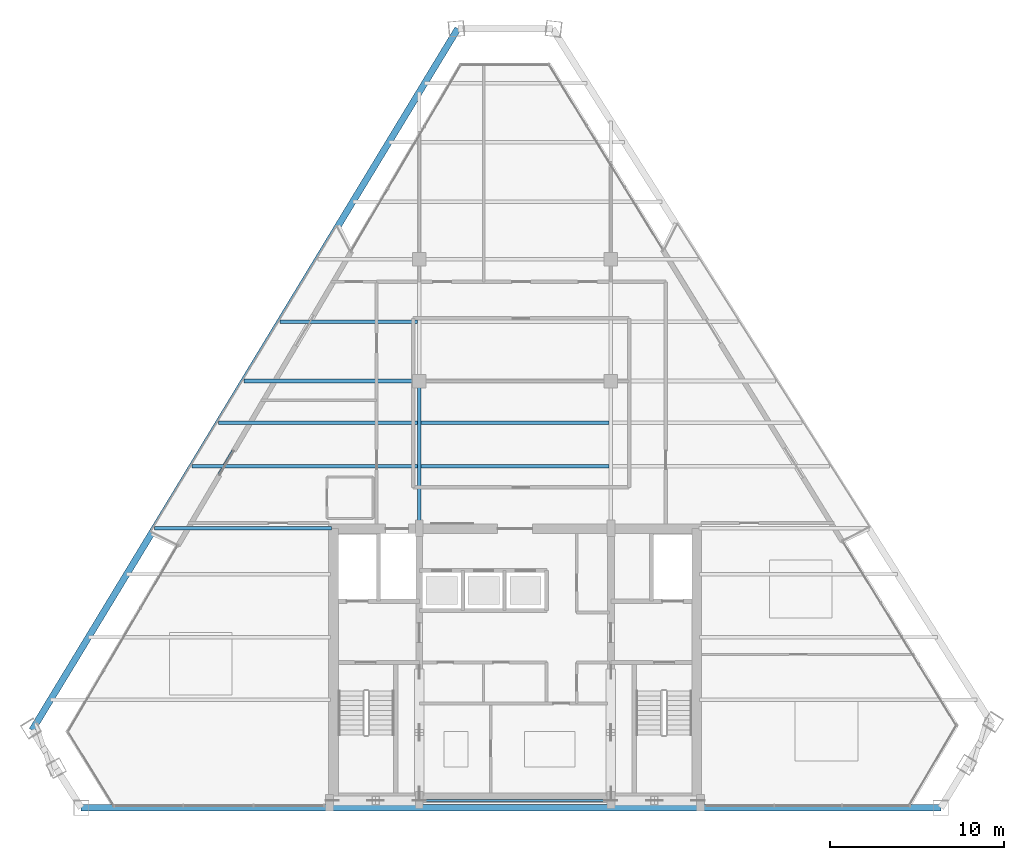
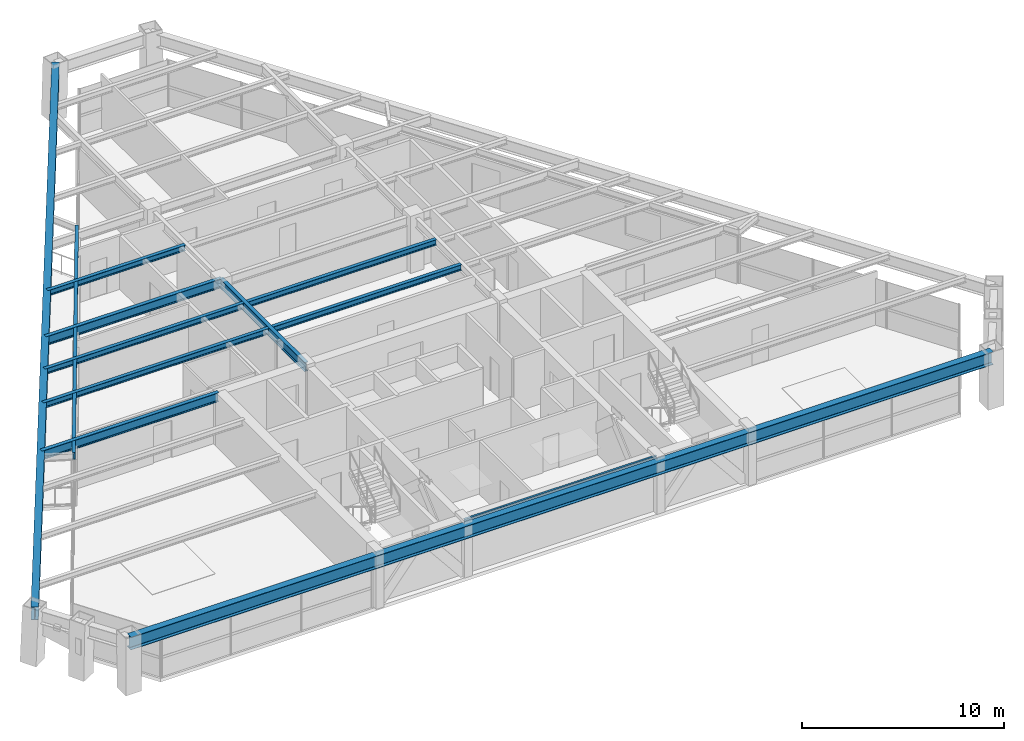
# One storey, part 3 of 14: 12 beams.
"""IFC4 building model written with IfcOpenShell, lengths in metres."""

from ifc_helpers import new_model, si_unit, direction, frame, origin, origin_2d, place, context, subcontext, project, spatial, i_section, extrude, source, transform, mapped, material, material_profile, profile_set, type_object, type_shapes, element, save


model = new_model("IFC4")

# Units and contexts
model_context = context("Model", 3, precision=1e-05, world=origin(), true_north=direction((0.0, 1.0)))
body_context = subcontext(model_context, "Body", "Model", "MODEL_VIEW")
ifc_project = project(units=[si_unit("LENGTHUNIT", "METRE"), si_unit("AREAUNIT", "SQUARE_METRE"), si_unit("VOLUMEUNIT", "CUBIC_METRE"), si_unit("PLANEANGLEUNIT", "RADIAN"), si_unit("MASSUNIT", "GRAM", prefix="KILO")], contexts=[model_context])

# Site, building, storey
site_placement = place(None, origin())
site = spatial("IfcSite", under=ifc_project, at=site_placement, CompositionType="ELEMENT")
building_placement = place(site_placement, origin())
building = spatial("IfcBuilding", under=site, at=building_placement, Name="Varnakhor Terracotta Tower", CompositionType="ELEMENT")
storey_placement = place(building_placement, frame((0.0, 0.0, 240.699951171875)))
storey = spatial("IfcBuildingStorey", under=building, at=storey_placement, Name="L62", CompositionType="ELEMENT", Elevation=240.699951171875)

# Beams
ifc_material = material(Name="Steel S355", Category="steel")
ifc_material_profile_1 = material_profile(ifc_material, i_section(OverallWidth=0.1201171875, OverallDepth=0.239990234375, WebThickness=0.006103515625, FlangeThickness=0.009765625, FilletRadius=0.01806640625, at=origin_2d()), Name="IPE240")
ifc_profile_set_1 = profile_set([ifc_material_profile_1], Name="Steel S355")
beam_type_1 = type_object("IfcBeamType", Name="LNT-IPE240", PredefinedType="LINTEL", material=ifc_profile_set_1)
shared_shape_1 = source(origin(), body_context, "Body", "SweptSolid", [
    extrude(i_section(OverallWidth=0.1201171875, OverallDepth=0.239990234375, WebThickness=0.006103515625, FlangeThickness=0.009765625, FilletRadius=0.01806640625, at=origin_2d()), origin(), (0.0, 0.0, 1.0), 11.0),
])
type_shapes(beam_type_1, [shared_shape_1])
beam_1_placement = place(storey_placement, frame((-5.5, 0.419921875, 3.1201171875), z_axis=(1.0, 0.0, 0.0), x_axis=(0.0, 1.0, 0.0)))
element("IfcBeam", 1, at=beam_1_placement, inside=storey, type_object=beam_type_1, Name="L62 Core South Coupling Lintel", PredefinedType="LINTEL", context=body_context, shape_type="MappedRepresentation", body=[
    mapped(shared_shape_1, transform((0.0, 0.0, 0.0), scale=1.0)),
])
ifc_material_profile_2 = material_profile(ifc_material, i_section(OverallWidth=0.214111328125, OverallDepth=0.549072265625, WebThickness=0.014892578125, FlangeThickness=0.02392578125, FilletRadius=0.01806640625, at=origin_2d()), Name="W21X93")
ifc_profile_set_2 = profile_set([ifc_material_profile_2], Name="Steel S355")
beam_type_2 = type_object("IfcBeamType", Name="BM-W21X93", PredefinedType="BEAM", material=ifc_profile_set_2)
shared_shape_2 = source(origin(), body_context, "Body", "SweptSolid", [
    extrude(i_section(OverallWidth=0.214111328125, OverallDepth=0.549072265625, WebThickness=0.014892578125, FlangeThickness=0.02392578125, FilletRadius=0.01806640625, at=origin_2d()), origin(), (0.0, 0.0, 1.0), 8.449951171875),
])
type_shapes(beam_type_2, [shared_shape_2])
beam_2_placement = place(storey_placement, frame((-5.5, 16.050048828125, 2.965576171875), z_axis=(0.0, 1.0, 0.0), x_axis=(-1.0, 0.0, 0.0)))
element("IfcBeam", 2, at=beam_2_placement, inside=storey, type_object=beam_type_2, Name="L62 Primary Girder NS1-W", PredefinedType="BEAM", context=body_context, shape_type="MappedRepresentation", body=[
    mapped(shared_shape_2, transform((0.0, 0.0, 0.0), scale=1.0)),
])
ifc_material_profile_3 = material_profile(ifc_material, i_section(OverallWidth=0.202880859375, OverallDepth=0.346923828125, WebThickness=0.0078125, FlangeThickness=0.013427734375, FilletRadius=0.01806640625, at=origin_2d()), Name="W14X43")
ifc_profile_set_3 = profile_set([ifc_material_profile_3], Name="Steel S355")
beam_type_3 = type_object("IfcBeamType", Name="JST-W14X43", PredefinedType="JOIST", material=ifc_profile_set_3)
shared_shape_3 = source(origin(), body_context, "Body", "SweptSolid", [
    extrude(i_section(OverallWidth=0.202880859375, OverallDepth=0.346923828125, WebThickness=0.0078125, FlangeThickness=0.013427734375, FilletRadius=0.01806640625, at=origin_2d()), origin(), (0.0, 0.0, 1.0), 10.7939453125),
])
for number, where, z_axis, x_axis, name in (
    (3, (-5.39697265625, 19.60009765625, 3.066650390625), (1.0, 0.0, 0.0), (0.0, 1.0, 0.0), "L62 Composite Floor Joist 4-2"),
    (4, (-5.39697265625, 22.10009765625, 3.066650390625), (1.0, 0.0, 0.0), (0.0, 1.0, 0.0), "L62 Composite Floor Joist 5-2"),
):
    element("IfcBeam", number, at=place(storey_placement, frame(where, z_axis=z_axis, x_axis=x_axis)), inside=storey, type_object=beam_type_3, Name=name, PredefinedType="JOIST", context=body_context, shape_type="MappedRepresentation", body=[
        mapped(shared_shape_3, transform((0.0, 0.0, 0.0), scale=1.0)),
    ])
ifc_material_profile_4 = material_profile(ifc_material, i_section(OverallWidth=0.381103515625, OverallDepth=0.77294921875, WebThickness=0.01708984375, FlangeThickness=0.027099609375, FilletRadius=0.01806640625, at=origin_2d()), Name="W30X173")
ifc_profile_set_4 = profile_set([ifc_material_profile_4], Name="Steel S355")
beam_type_4 = type_object("IfcBeamType", Name="BM-W30X173", PredefinedType="BEAM", material=ifc_profile_set_4)
shared_shape_4 = source(origin(), body_context, "Body", "SweptSolid", [
    extrude(i_section(OverallWidth=0.381103515625, OverallDepth=0.77294921875, WebThickness=0.01708984375, FlangeThickness=0.027099609375, FilletRadius=0.01806640625, at=origin_2d()), origin(), (0.0, 0.0, 1.0), 49.344482421875),
])
beam_3_placement = place(storey_placement, frame((-24.90625, 0.0, 2.853515625), z_axis=(1.0, 0.0, 0.0), x_axis=(0.0, 1.0, 0.0)))
element("IfcBeam", 5, at=beam_3_placement, inside=storey, type_object=beam_type_4, Name="L62 Perimeter Spandrel 1", PredefinedType="BEAM", context=body_context, shape_type="MappedRepresentation", body=[
    mapped(shared_shape_4, transform((0.0, 0.0, 0.0), scale=1.0)),
])
shared_shape_5 = source(origin(), body_context, "Body", "SweptSolid", [
    extrude(i_section(OverallWidth=0.381103515625, OverallDepth=0.77294921875, WebThickness=0.01708984375, FlangeThickness=0.027099609375, FilletRadius=0.01806640625, at=origin_2d()), origin(), (0.0, 0.0, 1.0), 47.105224609375),
])
beam_4_placement = place(storey_placement, frame((-3.287109375, 44.72900390625, 2.853515625), z_axis=(-0.518832870674, -0.854875694068, 0.0), x_axis=(0.854875694068, -0.518832870674, 0.0)))
element("IfcBeam", 6, at=beam_4_placement, inside=storey, type_object=beam_type_4, Name="L62 Perimeter Spandrel 6", PredefinedType="BEAM", context=body_context, shape_type="MappedRepresentation", body=[
    mapped(shared_shape_5, transform((0.0, 0.0, 0.0), scale=1.0)),
])
ifc_material_profile_5 = material_profile(ifc_material, i_section(OverallWidth=0.179931640625, OverallDepth=0.39990234375, WebThickness=0.008544921875, FlangeThickness=0.013427734375, FilletRadius=0.01806640625, at=origin_2d()), Name="IPE400")
ifc_profile_set_5 = profile_set([ifc_material_profile_5], Name="Steel S355")
beam_type_5 = type_object("IfcBeamType", Name="JST-IPE400", PredefinedType="JOIST", material=ifc_profile_set_5)
shared_shape_6 = source(origin(), body_context, "Body", "SweptSolid", [
    extrude(i_section(OverallWidth=0.179931640625, OverallDepth=0.39990234375, WebThickness=0.008544921875, FlangeThickness=0.013427734375, FilletRadius=0.01806640625, at=origin_2d()), origin(), (0.0, 0.0, 1.0), 19.6533203125),
])
beam_5_placement = place(storey_placement, frame((-9.4287109375, 31.9892578125, 3.0400390625), z_axis=(-0.506767667108, -0.862082670963, 0.0), x_axis=(0.862082670963, -0.506767667108, 0.0)))
element("IfcBeam", 7, at=beam_5_placement, inside=storey, type_object=beam_type_5, Name="L62 Loggia Edge Beam 2", PredefinedType="JOIST", context=body_context, shape_type="MappedRepresentation", body=[
    mapped(shared_shape_6, transform((0.0, 0.0, 0.0), scale=1.0)),
])
shared_shape_7 = source(origin(), body_context, "Body", "SweptSolid", [
    extrude(i_section(OverallWidth=0.214111328125, OverallDepth=0.549072265625, WebThickness=0.014892578125, FlangeThickness=0.02392578125, FilletRadius=0.01806640625, at=origin_2d()), origin(), (0.0, 0.0, 1.0), 10.142578125),
])
beam_6_placement = place(storey_placement, frame((-20.692626953125, 16.050048828125, 2.965576171875), z_axis=(1.0, 0.0, 0.0), x_axis=(0.0, 1.0, 0.0)))
element("IfcBeam", 8, at=beam_6_placement, inside=storey, type_object=beam_type_2, Name="L62 Wing Girder W", PredefinedType="BEAM", context=body_context, shape_type="MappedRepresentation", body=[
    mapped(shared_shape_7, transform((0.0, 0.0, 0.0), scale=1.0)),
])
shared_shape_8 = source(origin(), body_context, "Body", "SweptSolid", [
    extrude(i_section(OverallWidth=0.214111328125, OverallDepth=0.549072265625, WebThickness=0.014892578125, FlangeThickness=0.02392578125, FilletRadius=0.01806640625, at=origin_2d()), origin(), (0.0, 0.0, 1.0), 10.064208984375),
])
beam_7_placement = place(storey_placement, frame((-15.564208984375, 24.5, 2.965576171875), z_axis=(1.0, 0.0, 0.0), x_axis=(0.0, 1.0, 0.0)))
element("IfcBeam", 9, at=beam_7_placement, inside=storey, type_object=beam_type_2, Name="L62 Primary Girder EW2-1", PredefinedType="BEAM", context=body_context, shape_type="MappedRepresentation", body=[
    mapped(shared_shape_8, transform((0.0, 0.0, 0.0), scale=1.0)),
])
shared_shape_9 = source(origin(), body_context, "Body", "SweptSolid", [
    extrude(i_section(OverallWidth=0.202880859375, OverallDepth=0.346923828125, WebThickness=0.0078125, FlangeThickness=0.013427734375, FilletRadius=0.01806640625, at=origin_2d()), origin(), (0.0, 0.0, 1.0), 12.93505859375),
])
beam_8_placement = place(storey_placement, frame((-18.5380859375, 19.60009765625, 3.066650390625), z_axis=(1.0, 0.0, 0.0), x_axis=(0.0, 1.0, 0.0)))
element("IfcBeam", 10, at=beam_8_placement, inside=storey, type_object=beam_type_3, Name="L62 Composite Floor Joist 4-1", PredefinedType="JOIST", context=body_context, shape_type="MappedRepresentation", body=[
    mapped(shared_shape_9, transform((0.0, 0.0, 0.0), scale=1.0)),
])
shared_shape_10 = source(origin(), body_context, "Body", "SweptSolid", [
    extrude(i_section(OverallWidth=0.202880859375, OverallDepth=0.346923828125, WebThickness=0.0078125, FlangeThickness=0.013427734375, FilletRadius=0.01806640625, at=origin_2d()), origin(), (0.0, 0.0, 1.0), 11.417724609375),
])
beam_9_placement = place(storey_placement, frame((-17.020751953125, 22.10009765625, 3.066650390625), z_axis=(1.0, 0.0, 0.0), x_axis=(0.0, 1.0, 0.0)))
element("IfcBeam", 11, at=beam_9_placement, inside=storey, type_object=beam_type_3, Name="L62 Composite Floor Joist 5-1", PredefinedType="JOIST", context=body_context, shape_type="MappedRepresentation", body=[
    mapped(shared_shape_10, transform((0.0, 0.0, 0.0), scale=1.0)),
])
shared_shape_11 = source(origin(), body_context, "Body", "SweptSolid", [
    extrude(i_section(OverallWidth=0.202880859375, OverallDepth=0.346923828125, WebThickness=0.0078125, FlangeThickness=0.013427734375, FilletRadius=0.01806640625, at=origin_2d()), origin(), (0.0, 0.0, 1.0), 7.897705078125),
])
beam_10_placement = place(storey_placement, frame((-13.500732421875, 27.89990234375, 3.066650390625), z_axis=(1.0, 0.0, 0.0), x_axis=(0.0, 1.0, 0.0)))
element("IfcBeam", 12, at=beam_10_placement, inside=storey, type_object=beam_type_3, Name="L62 Composite Floor Joist 6-1", PredefinedType="JOIST", context=body_context, shape_type="MappedRepresentation", body=[
    mapped(shared_shape_11, transform((0.0, 0.0, 0.0), scale=1.0)),
])

save(model, "model.ifc")
